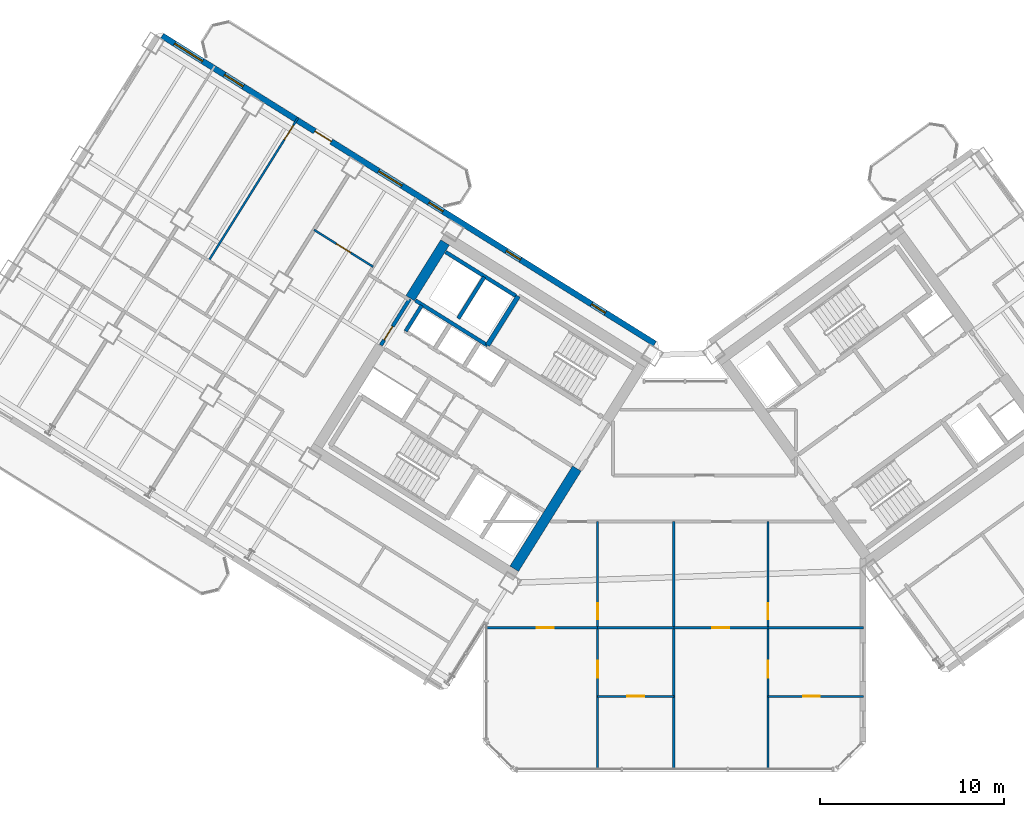
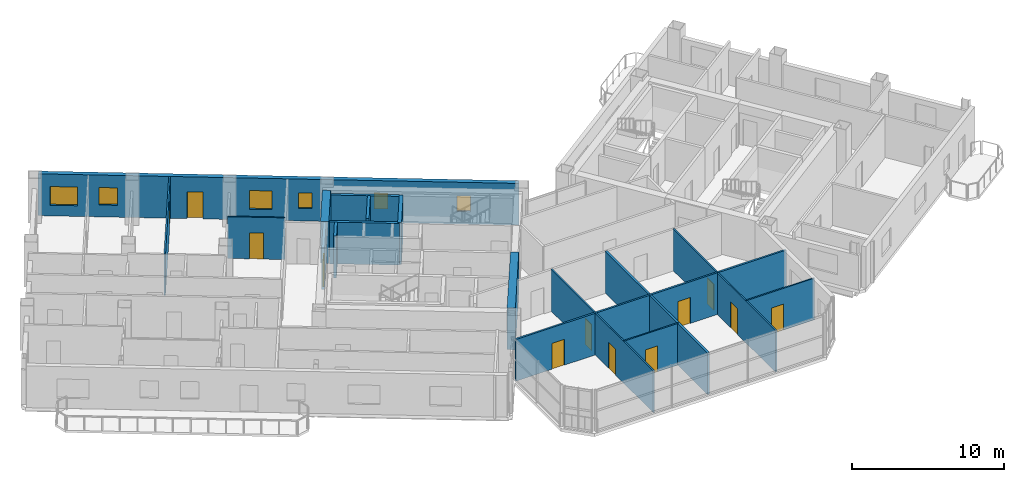
# One storey, part 18 of 25: 20 walls, 12 doors, 6 windows, 18 openings.
"""IFC4 building model written with IfcOpenShell, lengths in metres."""

from ifc_helpers import new_model, si_unit, direction, frame, frame_2d, origin, place, context, subcontext, project, spatial, rectangle, extrude, source, transform, mapped, material, layer, layer_set, type_object, element, fill, save


model = new_model("IFC4")

# Units and contexts
model_context = context("Model", 3, precision=1e-05, world=origin(), true_north=direction((0.0, 1.0)))
body_context = subcontext(model_context, "Body", "Model", "MODEL_VIEW")
ifc_project = project(units=[si_unit("LENGTHUNIT", "METRE"), si_unit("AREAUNIT", "SQUARE_METRE"), si_unit("VOLUMEUNIT", "CUBIC_METRE"), si_unit("PLANEANGLEUNIT", "RADIAN"), si_unit("MASSUNIT", "GRAM", prefix="KILO")], contexts=[model_context])

# Site, building, storey
site_placement = place(None, origin())
site = spatial("IfcSite", under=ifc_project, at=site_placement, CompositionType="ELEMENT")
building_placement = place(site_placement, origin())
building = spatial("IfcBuilding", under=site, at=building_placement, Name="Tlacorven Tower", CompositionType="ELEMENT")
storey_placement = place(building_placement, frame((0.0, 0.0, 155.10009765625)))
storey = spatial("IfcBuildingStorey", under=building, at=storey_placement, Name="L39", CompositionType="ELEMENT", Elevation=155.10009765625)

# Walls
ifc_material_1 = material(Name="Concrete C60/75", Category="concrete")
ifc_layer_1 = layer(ifc_material_1, 0.550048828125)
ifc_layer_set_1 = layer_set([ifc_layer_1], Name="Concrete C60/75")
wall_type_1 = type_object("IfcWallType", Name="WL-COR-550", PredefinedType="SHEAR", material=ifc_layer_set_1)
wall_1_placement = place(storey_placement, frame((36.683349609375, 18.30419921875, 0.0), z_axis=(0.0, 0.0, 1.0), x_axis=(-0.529896466841, -0.848062341122, 0.0)))
element("IfcWall", 1, at=wall_1_placement, inside=storey, type_object=wall_type_1, Name="L39 W core end wall E1.2", PredefinedType="SHEAR", context=body_context, shape_type="SweptSolid", body=[
    extrude(rectangle(XDim=6.4248046875, YDim=0.550048828125, at=frame_2d((3.21240234375, 0.0))), origin(), (0.0, 0.0, 1.0), 3.349853515625),
])
wall_2_placement = place(storey_placement, frame((29.517333984375, 30.59423828125, 0.0), z_axis=(0.0, 0.0, 1.0), x_axis=(-0.529906864564, -0.848055844204, 0.0)))
element("IfcWall", 2, at=wall_2_placement, inside=storey, type_object=wall_type_1, Name="L39 W core end wall E2.1", PredefinedType="SHEAR", context=body_context, shape_type="SweptSolid", body=[
    extrude(rectangle(XDim=3.5751953125, YDim=0.550048828125, at=frame_2d((1.78759765625, 0.0))), origin(), (0.0, 0.0, 1.0), 3.349853515625),
])
ifc_material_2 = material(Name="Gypsum plasterboard acoustic partition", Category="gypsum")
ifc_layer_2 = layer(ifc_material_2, 0.159912109375)
ifc_layer_set_2 = layer_set([ifc_layer_2], Name="Gypsum plasterboard acoustic partition")
wall_type_2 = type_object("IfcWallType", Name="WL-DEM-160", PredefinedType="PARTITIONING", material=ifc_layer_set_2)
wall_3_placement = place(storey_placement, frame((41.949951171875, 1.9599609375, 0.0), z_axis=(0.0, 0.0, 1.0), x_axis=(0.0, 1.0, 0.0)))
element("IfcWall", 3, at=wall_3_placement, inside=storey, type_object=wall_type_2, Name="L39 Knuckle Demising Wall 1", PredefinedType="PARTITIONING", context=body_context, shape_type="SweptSolid", body=[
    extrude(rectangle(XDim=13.4599609375, YDim=0.159912109375, at=frame_2d((6.72998046875, 0.0))), origin(), (0.0, 0.0, 1.0), 3.33984375),
])

# Wall, openings, door, windows
ifc_material_3 = material(Name="Precast concrete C45/55", Category="concrete")
ifc_layer_3 = layer(ifc_material_3, 0.320068359375)
ifc_layer_set_3 = layer_set([ifc_layer_3], Name="Precast concrete C45/55")
wall_type_3 = type_object("IfcWallType", Name="WL-EXT-320", PredefinedType="STANDARD", material=ifc_layer_set_3)
wall_4_placement = place(storey_placement, frame((14.13818359375, 41.825439453125, 0.0), z_axis=(0.0, 0.0, 1.0), x_axis=(0.848046498049, -0.529921821731, 0.0)))
wall_4 = element("IfcWall", 4, at=wall_4_placement, inside=storey, type_object=wall_type_3, Name="L39 Masonry-Frame Recessed Facade Wall 3", PredefinedType="STANDARD", context=body_context, shape_type="SweptSolid", body=[
    extrude(rectangle(XDim=31.587646484375, YDim=0.320068359375, at=frame_2d((15.7939453125, 0.0))), origin(), (0.0, 0.0, 1.0), 3.349853515625),
])
opening_1_placement = place(wall_4_placement, frame((9.7919921875, 0.0, 0.0)))
opening_1 = element("IfcOpeningElement", 5, at=opening_1_placement, cuts=wall_4, Name="Opening D06", PredefinedType="OPENING", context=body_context, shape_type="SweptSolid", body=[
    extrude(rectangle(XDim=1.050048828125, YDim=2.14990234375, at=frame_2d((0.52490234375, 1.074951171875))), frame((0.0, 0.169921875, 0.0), z_axis=(0.0, -1.0, 0.0), x_axis=(1.0, 0.0, 0.0)), (0.0, 0.0, 1.0), 0.340087890625),
])
opening_2_placement = place(wall_4_placement, frame((0.791259765625, 0.0, 0.85009765625)))
opening_2 = element("IfcOpeningElement", 6, at=opening_2_placement, cuts=wall_4, Name="Opening WN01", PredefinedType="OPENING", context=body_context, shape_type="SweptSolid", body=[
    extrude(rectangle(XDim=1.800048828125, YDim=1.5, at=frame_2d((0.89990234375, 0.75))), frame((0.0, 0.169921875, 0.0), z_axis=(0.0, -1.0, 0.0), x_axis=(1.0, 0.0, 0.0)), (0.0, 0.0, 1.0), 0.340087890625),
])
opening_3_placement = place(wall_4_placement, frame((3.99609375, 0.0, 0.949951171875)))
opening_3 = element("IfcOpeningElement", 7, at=opening_3_placement, cuts=wall_4, Name="Opening WN03", PredefinedType="OPENING", context=body_context, shape_type="SweptSolid", body=[
    extrude(rectangle(XDim=1.199951171875, YDim=1.39990234375, at=frame_2d((0.60009765625, 0.699951171875))), frame((0.0, 0.169921875, 0.0), z_axis=(0.0, -1.0, 0.0), x_axis=(1.0, 0.0, 0.0)), (0.0, 0.0, 1.0), 0.340087890625),
])
opening_4_placement = place(wall_4_placement, frame((13.873779296875, 0.0, 0.85009765625)))
opening_4 = element("IfcOpeningElement", 8, at=opening_4_placement, cuts=wall_4, Name="Opening WN02", PredefinedType="OPENING", context=body_context, shape_type="SweptSolid", body=[
    extrude(rectangle(XDim=1.5, YDim=1.5, at=frame_2d((0.75, 0.75))), frame((0.0, 0.169921875, 0.0), z_axis=(0.0, -1.0, 0.0), x_axis=(1.0, 0.0, 0.0)), (0.0, 0.0, 1.0), 0.340087890625),
])
opening_5_placement = place(wall_4_placement, frame((17.103759765625, 0.0, 1.0)))
opening_5 = element("IfcOpeningElement", 9, at=opening_5_placement, cuts=wall_4, Name="Opening WN05", PredefinedType="OPENING", context=body_context, shape_type="SweptSolid", body=[
    extrude(rectangle(XDim=0.89990234375, YDim=1.25, at=frame_2d((0.449951171875, 0.625))), frame((0.0, 0.169921875, 0.0), z_axis=(0.0, -1.0, 0.0), x_axis=(1.0, 0.0, 0.0)), (0.0, 0.0, 1.0), 0.340087890625),
])
opening_6_placement = place(wall_4_placement, frame((22.06884765625, 0.0, 1.0)))
opening_6 = element("IfcOpeningElement", 10, at=opening_6_placement, cuts=wall_4, Name="Opening WN05", PredefinedType="OPENING", context=body_context, shape_type="SweptSolid", body=[
    extrude(rectangle(XDim=0.89990234375, YDim=1.25, at=frame_2d((0.449951171875, 0.625))), frame((0.0, 0.169921875, 0.0), z_axis=(0.0, -1.0, 0.0), x_axis=(1.0, 0.0, 0.0)), (0.0, 0.0, 1.0), 0.340087890625),
])
opening_7_placement = place(wall_4_placement, frame((27.51904296875, 0.0, 1.0)))
opening_7 = element("IfcOpeningElement", 11, at=opening_7_placement, cuts=wall_4, Name="Opening WN05", PredefinedType="OPENING", context=body_context, shape_type="SweptSolid", body=[
    extrude(rectangle(XDim=0.89990234375, YDim=1.25, at=frame_2d((0.449951171875, 0.625))), frame((0.0, 0.169921875, 0.0), z_axis=(0.0, -1.0, 0.0), x_axis=(1.0, 0.0, 0.0)), (0.0, 0.0, 1.0), 0.340087890625),
])
ifc_material_4 = material(Name="Powder-coated aluminium and timber door", Category="wood")
door_type_1 = type_object("IfcDoorType", Name="DR-EXT-BALC-1050", OperationType="NOTDEFINED", PredefinedType="DOOR", material=ifc_material_4)
shared_shape_1 = source(origin(), body_context, "Body", "SweptSolid", [
    extrude(rectangle(XDim=1.050048828125, YDim=2.14990234375, at=frame_2d((0.52490234375, 1.074951171875))), frame((0.0, 0.02490234375, 0.0), z_axis=(0.0, -1.0, 0.0), x_axis=(1.0, 0.0, 0.0)), (0.0, 0.0, 1.0), 0.050048828125),
])
door_1_placement = place(opening_1_placement, origin())
door_1 = element("IfcDoor", 12, at=door_1_placement, inside=storey, type_object=door_type_1, Name="L39 Outdoor Access Door BAL-L39-W-IN", OperationType="SINGLE_SWING_RIGHT", OverallHeight=2.14990234375, OverallWidth=1.050048828125, PredefinedType="DOOR", context=body_context, shape_type="MappedRepresentation", body=[
    mapped(shared_shape_1, transform((0.0, 0.0, 0.0), scale=1.0)),
])
fill(opening_1, door_1)
ifc_material_5 = material(Name="Dark solar low-E double glazing in anodised aluminium frame", Category="aluminium")
window_type_1 = type_object("IfcWindowType", Name="WN-APT-1200X1500", PartitioningType="SINGLE_PANEL", PredefinedType="WINDOW", material=ifc_material_5)
shared_shape_2 = source(origin(), body_context, "Body", "SweptSolid", [
    extrude(rectangle(XDim=1.199951171875, YDim=1.39990234375, at=frame_2d((0.60009765625, 0.699951171875))), frame((0.0, 0.030029296875, 0.0), z_axis=(0.0, -1.0, 0.0), x_axis=(1.0, 0.0, 0.0)), (0.0, 0.0, 1.0), 0.06005859375),
])
window_1_placement = place(opening_3_placement, origin())
window_1 = element("IfcWindow", 13, at=window_1_placement, inside=storey, type_object=window_type_1, Name="L39 Recessed Masonry-Frame Window L39-03.2", OverallHeight=1.39990234375, OverallWidth=1.199951171875, PartitioningType="SINGLE_PANEL", PredefinedType="WINDOW", context=body_context, shape_type="MappedRepresentation", body=[
    mapped(shared_shape_2, transform((0.0, 0.0, 0.0), scale=1.0)),
])
fill(opening_3, window_1)
window_type_2 = type_object("IfcWindowType", Name="WN-APT-1800X1650", PartitioningType="SINGLE_PANEL", PredefinedType="WINDOW", material=ifc_material_5)
shared_shape_3 = source(origin(), body_context, "Body", "SweptSolid", [
    extrude(rectangle(XDim=1.800048828125, YDim=1.5, at=frame_2d((0.89990234375, 0.75))), frame((0.0, 0.030029296875, 0.0), z_axis=(0.0, -1.0, 0.0), x_axis=(1.0, 0.0, 0.0)), (0.0, 0.0, 1.0), 0.06005859375),
])
window_2_placement = place(opening_2_placement, origin())
window_2 = element("IfcWindow", 14, at=window_2_placement, inside=storey, type_object=window_type_2, Name="L39 Recessed Masonry-Frame Window L39-03.1", OverallHeight=1.5, OverallWidth=1.800048828125, PartitioningType="SINGLE_PANEL", PredefinedType="WINDOW", context=body_context, shape_type="MappedRepresentation", body=[
    mapped(shared_shape_3, transform((0.0, 0.0, 0.0), scale=1.0)),
])
fill(opening_2, window_2)
window_type_3 = type_object("IfcWindowType", Name="WN-APT-1500X1650", PartitioningType="SINGLE_PANEL", PredefinedType="WINDOW", material=ifc_material_5)
shared_shape_4 = source(origin(), body_context, "Body", "SweptSolid", [
    extrude(rectangle(XDim=1.5, YDim=1.5, at=frame_2d((0.75, 0.75))), frame((0.0, 0.030029296875, 0.0), z_axis=(0.0, -1.0, 0.0), x_axis=(1.0, 0.0, 0.0)), (0.0, 0.0, 1.0), 0.06005859375),
])
window_3_placement = place(opening_4_placement, origin())
window_3 = element("IfcWindow", 15, at=window_3_placement, inside=storey, type_object=window_type_3, Name="L39 Recessed Masonry-Frame Window L39-03.3", OverallHeight=1.5, OverallWidth=1.5, PartitioningType="SINGLE_PANEL", PredefinedType="WINDOW", context=body_context, shape_type="MappedRepresentation", body=[
    mapped(shared_shape_4, transform((0.0, 0.0, 0.0), scale=1.0)),
])
fill(opening_4, window_3)
window_type_4 = type_object("IfcWindowType", Name="WN-APT-0900X1350", PartitioningType="SINGLE_PANEL", PredefinedType="WINDOW", material=ifc_material_5)
shared_shape_5 = source(origin(), body_context, "Body", "SweptSolid", [
    extrude(rectangle(XDim=0.89990234375, YDim=1.25, at=frame_2d((0.449951171875, 0.625))), frame((0.0, 0.030029296875, 0.0), z_axis=(0.0, -1.0, 0.0), x_axis=(1.0, 0.0, 0.0)), (0.0, 0.0, 1.0), 0.06005859375),
])
window_4_placement = place(opening_5_placement, origin())
window_4 = element("IfcWindow", 16, at=window_4_placement, inside=storey, type_object=window_type_4, Name="L39 Recessed Masonry-Frame Window L39-03.4", OverallHeight=1.25, OverallWidth=0.89990234375, PartitioningType="SINGLE_PANEL", PredefinedType="WINDOW", context=body_context, shape_type="MappedRepresentation", body=[
    mapped(shared_shape_5, transform((0.0, 0.0, 0.0), scale=1.0)),
])
fill(opening_5, window_4)
window_5_placement = place(opening_6_placement, origin())
window_5 = element("IfcWindow", 17, at=window_5_placement, inside=storey, type_object=window_type_4, Name="L39 Recessed Masonry-Frame Window L39-03.5", OverallHeight=1.25, OverallWidth=0.89990234375, PartitioningType="SINGLE_PANEL", PredefinedType="WINDOW", context=body_context, shape_type="MappedRepresentation", body=[
    mapped(shared_shape_5, transform((0.0, 0.0, 0.0), scale=1.0)),
])
fill(opening_6, window_5)
window_6_placement = place(opening_7_placement, origin())
window_6 = element("IfcWindow", 18, at=window_6_placement, inside=storey, type_object=window_type_4, Name="L39 Recessed Masonry-Frame Window L39-03.6", OverallHeight=1.25, OverallWidth=0.89990234375, PartitioningType="SINGLE_PANEL", PredefinedType="WINDOW", context=body_context, shape_type="MappedRepresentation", body=[
    mapped(shared_shape_5, transform((0.0, 0.0, 0.0), scale=1.0)),
])
fill(opening_7, window_6)

# Wall, opening, door
ifc_material_6 = material(Name="Gypsum plasterboard partition", Category="gypsum")
ifc_layer_4 = layer(ifc_material_6, 0.110107421875)
ifc_layer_set_4 = layer_set([ifc_layer_4], Name="Gypsum plasterboard partition")
wall_type_4 = type_object("IfcWallType", Name="WL-INT-110", PredefinedType="PARTITIONING", material=ifc_layer_set_4)
wall_5_placement = place(storey_placement, frame((25.61181640625, 29.269287109375, 0.0), z_axis=(0.0, 0.0, 1.0), x_axis=(-0.84803087207, 0.529946827537, 0.0)))
wall_5 = element("IfcWall", 19, at=wall_5_placement, inside=storey, type_object=wall_type_4, Name="L39 partition 60", PredefinedType="PARTITIONING", context=body_context, shape_type="SweptSolid", body=[
    extrude(rectangle(XDim=3.7900390625, YDim=0.110107421875, at=frame_2d((1.89501953125, 0.0))), origin(), (0.0, 0.0, 1.0), 3.33984375),
])
opening_8_placement = place(wall_5_placement, frame((1.43505859375, 0.0, 0.0)))
opening_8 = element("IfcOpeningElement", 20, at=opening_8_placement, cuts=wall_5, Name="Opening D12", PredefinedType="OPENING", context=body_context, shape_type="SweptSolid", body=[
    extrude(rectangle(XDim=0.919921875, YDim=2.080078125, at=frame_2d((0.4599609375, 1.0400390625))), frame((0.0, 0.06494140625, 0.0), z_axis=(0.0, -1.0, 0.0), x_axis=(1.0, 0.0, 0.0)), (0.0, 0.0, 1.0), 0.130126953125),
])
door_type_2 = type_object("IfcDoorType", Name="DR-INT-ROOM-0920", OperationType="NOTDEFINED", PredefinedType="DOOR", material=ifc_material_4)
shared_shape_6 = source(origin(), body_context, "Body", "SweptSolid", [
    extrude(rectangle(XDim=0.919921875, YDim=2.080078125, at=frame_2d((0.4599609375, 1.0400390625))), frame((0.0, 0.02490234375, 0.0), z_axis=(0.0, -1.0, 0.0), x_axis=(1.0, 0.0, 0.0)), (0.0, 0.0, 1.0), 0.050048828125),
])
door_2_placement = place(opening_8_placement, origin())
door_2 = element("IfcDoor", 21, at=door_2_placement, inside=storey, type_object=door_type_2, Name="L39 door 033", OperationType="SINGLE_SWING_LEFT", OverallHeight=2.080078125, OverallWidth=0.919921875, PredefinedType="DOOR", context=body_context, shape_type="MappedRepresentation", body=[
    mapped(shared_shape_6, transform((0.0, 0.0, 0.0), scale=1.0)),
])
fill(opening_8, door_2)

wall_6_placement = place(storey_placement, frame((21.516845703125, 37.356201171875, 0.0), z_axis=(0.0, 0.0, 1.0), x_axis=(-0.529919705034, -0.848047820713, 0.0)))
wall_6 = element("IfcWall", 22, at=wall_6_placement, inside=storey, type_object=wall_type_4, Name="L39 partition 64", PredefinedType="PARTITIONING", context=body_context, shape_type="SweptSolid", body=[
    extrude(rectangle(XDim=9.14013671875, YDim=0.110107421875, at=frame_2d((4.570068359375, 0.0))), origin(), (0.0, 0.0, 1.0), 3.33984375),
])
opening_9_placement = place(wall_6_placement, frame((0.469970703125, 0.0, 0.0)))
opening_9 = element("IfcOpeningElement", 23, at=opening_9_placement, cuts=wall_6, Name="Opening D12", PredefinedType="OPENING", context=body_context, shape_type="SweptSolid", body=[
    extrude(rectangle(XDim=0.919921875, YDim=2.080078125, at=frame_2d((0.4599609375, 1.0400390625))), frame((0.0, 0.06494140625, 0.0), z_axis=(0.0, -1.0, 0.0), x_axis=(1.0, 0.0, 0.0)), (0.0, 0.0, 1.0), 0.130126953125),
])
door_3_placement = place(opening_9_placement, origin())
door_3 = element("IfcDoor", 24, at=door_3_placement, inside=storey, type_object=door_type_2, Name="L39 door 034", OperationType="SINGLE_SWING_RIGHT", OverallHeight=2.080078125, OverallWidth=0.919921875, PredefinedType="DOOR", context=body_context, shape_type="MappedRepresentation", body=[
    mapped(shared_shape_6, transform((0.0, 0.0, 0.0), scale=1.0)),
])
fill(opening_9, door_3)

# Wall, openings, doors
wall_7_placement = place(storey_placement, frame((37.81298828125, 1.9599609375, 0.0), z_axis=(0.0, 0.0, 1.0), x_axis=(0.0, 1.0, 0.0)))
wall_7 = element("IfcWall", 25, at=wall_7_placement, inside=storey, type_object=wall_type_4, Name="L39 partition 81", PredefinedType="PARTITIONING", context=body_context, shape_type="SweptSolid", body=[
    extrude(rectangle(XDim=13.4599609375, YDim=0.110107421875, at=frame_2d((6.72998046875, 0.0))), origin(), (0.0, 0.0, 1.0), 3.33984375),
])
opening_10_placement = place(wall_7_placement, frame((4.969970703125, 0.0, 0.0)))
opening_10 = element("IfcOpeningElement", 26, at=opening_10_placement, cuts=wall_7, Name="Opening D12", PredefinedType="OPENING", context=body_context, shape_type="SweptSolid", body=[
    extrude(rectangle(XDim=0.919921875, YDim=2.080078125, at=frame_2d((0.4599609375, 1.0400390625))), frame((0.0, 0.06494140625, 0.0), z_axis=(0.0, -1.0, 0.0), x_axis=(1.0, 0.0, 0.0)), (0.0, 0.0, 1.0), 0.130126953125),
])
opening_11_placement = place(wall_7_placement, frame((8.14990234375, 0.0, 0.0)))
opening_11 = element("IfcOpeningElement", 27, at=opening_11_placement, cuts=wall_7, Name="Opening D13", PredefinedType="OPENING", context=body_context, shape_type="SweptSolid", body=[
    extrude(rectangle(XDim=0.8798828125, YDim=2.080078125, at=frame_2d((0.43994140625, 1.0400390625))), frame((0.0, 0.06494140625, 0.0), z_axis=(0.0, -1.0, 0.0), x_axis=(1.0, 0.0, 0.0)), (0.0, 0.0, 1.0), 0.130126953125),
])
door_type_3 = type_object("IfcDoorType", Name="DR-INT-WET-0880", OperationType="NOTDEFINED", PredefinedType="DOOR", material=ifc_material_4)
shared_shape_7 = source(origin(), body_context, "Body", "SweptSolid", [
    extrude(rectangle(XDim=0.8798828125, YDim=2.080078125, at=frame_2d((0.43994140625, 1.0400390625))), frame((0.0, 0.02490234375, 0.0), z_axis=(0.0, -1.0, 0.0), x_axis=(1.0, 0.0, 0.0)), (0.0, 0.0, 1.0), 0.050048828125),
])
door_4_placement = place(opening_11_placement, origin())
door_4 = element("IfcDoor", 28, at=door_4_placement, inside=storey, type_object=door_type_3, Name="L39 door 053", OperationType="SINGLE_SWING_LEFT", OverallHeight=2.080078125, OverallWidth=0.8798828125, PredefinedType="DOOR", context=body_context, shape_type="MappedRepresentation", body=[
    mapped(shared_shape_7, transform((0.0, 0.0, 0.0), scale=1.0)),
])
fill(opening_11, door_4)
door_5_placement = place(opening_10_placement, origin())
door_5 = element("IfcDoor", 29, at=door_5_placement, inside=storey, type_object=door_type_2, Name="L39 door 049", OperationType="SINGLE_SWING_LEFT", OverallHeight=2.080078125, OverallWidth=0.919921875, PredefinedType="DOOR", context=body_context, shape_type="MappedRepresentation", body=[
    mapped(shared_shape_6, transform((0.0, 0.0, 0.0), scale=1.0)),
])
fill(opening_10, door_5)

# Wall, opening, door
wall_8_placement = place(storey_placement, frame((37.81298828125, 5.919921875, 0.0), z_axis=(0.0, 0.0, 1.0), x_axis=(1.0, 0.0, 0.0)))
wall_8 = element("IfcWall", 30, at=wall_8_placement, inside=storey, type_object=wall_type_4, Name="L39 partition 84", PredefinedType="PARTITIONING", context=body_context, shape_type="SweptSolid", body=[
    extrude(rectangle(XDim=4.136962890625, YDim=0.110107421875, at=frame_2d((2.068359375, 0.0))), origin(), (0.0, 0.0, 1.0), 3.33984375),
])
opening_12_placement = place(wall_8_placement, frame((1.6083984375, 0.0, 0.0)))
opening_12 = element("IfcOpeningElement", 31, at=opening_12_placement, cuts=wall_8, Name="Opening D12", PredefinedType="OPENING", context=body_context, shape_type="SweptSolid", body=[
    extrude(rectangle(XDim=0.919921875, YDim=2.080078125, at=frame_2d((0.4599609375, 1.0400390625))), frame((0.0, 0.06494140625, 0.0), z_axis=(0.0, -1.0, 0.0), x_axis=(1.0, 0.0, 0.0)), (0.0, 0.0, 1.0), 0.130126953125),
])
door_6_placement = place(opening_12_placement, origin())
door_6 = element("IfcDoor", 32, at=door_6_placement, inside=storey, type_object=door_type_2, Name="L39 door 050", OperationType="SINGLE_SWING_RIGHT", OverallHeight=2.080078125, OverallWidth=0.919921875, PredefinedType="DOOR", context=body_context, shape_type="MappedRepresentation", body=[
    mapped(shared_shape_6, transform((0.0, 0.0, 0.0), scale=1.0)),
])
fill(opening_12, door_6)

# Wall, openings, doors
wall_9_placement = place(storey_placement, frame((47.072021484375, 1.9599609375, 0.0), z_axis=(0.0, 0.0, 1.0), x_axis=(0.0, 1.0, 0.0)))
wall_9 = element("IfcWall", 33, at=wall_9_placement, inside=storey, type_object=wall_type_4, Name="L39 partition 85", PredefinedType="PARTITIONING", context=body_context, shape_type="SweptSolid", body=[
    extrude(rectangle(XDim=13.4599609375, YDim=0.110107421875, at=frame_2d((6.72998046875, 0.0))), origin(), (0.0, 0.0, 1.0), 3.33984375),
])
opening_13_placement = place(wall_9_placement, frame((4.969970703125, 0.0, 0.0)))
opening_13 = element("IfcOpeningElement", 34, at=opening_13_placement, cuts=wall_9, Name="Opening D12", PredefinedType="OPENING", context=body_context, shape_type="SweptSolid", body=[
    extrude(rectangle(XDim=0.919921875, YDim=2.080078125, at=frame_2d((0.4599609375, 1.0400390625))), frame((0.0, 0.06494140625, 0.0), z_axis=(0.0, -1.0, 0.0), x_axis=(1.0, 0.0, 0.0)), (0.0, 0.0, 1.0), 0.130126953125),
])
opening_14_placement = place(wall_9_placement, frame((8.14990234375, 0.0, 0.0)))
opening_14 = element("IfcOpeningElement", 35, at=opening_14_placement, cuts=wall_9, Name="Opening D13", PredefinedType="OPENING", context=body_context, shape_type="SweptSolid", body=[
    extrude(rectangle(XDim=0.8798828125, YDim=2.080078125, at=frame_2d((0.43994140625, 1.0400390625))), frame((0.0, 0.06494140625, 0.0), z_axis=(0.0, -1.0, 0.0), x_axis=(1.0, 0.0, 0.0)), (0.0, 0.0, 1.0), 0.130126953125),
])
door_7_placement = place(opening_14_placement, origin())
door_7 = element("IfcDoor", 36, at=door_7_placement, inside=storey, type_object=door_type_3, Name="L39 door 058", OperationType="SINGLE_SWING_RIGHT", OverallHeight=2.080078125, OverallWidth=0.8798828125, PredefinedType="DOOR", context=body_context, shape_type="MappedRepresentation", body=[
    mapped(shared_shape_7, transform((0.0, 0.0, 0.0), scale=1.0)),
])
fill(opening_14, door_7)
door_8_placement = place(opening_13_placement, origin())
door_8 = element("IfcDoor", 37, at=door_8_placement, inside=storey, type_object=door_type_2, Name="L39 door 054", OperationType="SINGLE_SWING_RIGHT", OverallHeight=2.080078125, OverallWidth=0.919921875, PredefinedType="DOOR", context=body_context, shape_type="MappedRepresentation", body=[
    mapped(shared_shape_6, transform((0.0, 0.0, 0.0), scale=1.0)),
])
fill(opening_13, door_8)

# Wall, opening, door
wall_10_placement = place(storey_placement, frame((47.072021484375, 5.919921875, 0.0), z_axis=(0.0, 0.0, 1.0), x_axis=(1.0, 0.0, 0.0)))
wall_10 = element("IfcWall", 38, at=wall_10_placement, inside=storey, type_object=wall_type_4, Name="L39 partition 88", PredefinedType="PARTITIONING", context=body_context, shape_type="SweptSolid", body=[
    extrude(rectangle(XDim=5.18798828125, YDim=0.110107421875, at=frame_2d((2.593994140625, 0.0))), origin(), (0.0, 0.0, 1.0), 3.33984375),
])
opening_15_placement = place(wall_10_placement, frame((1.904052734375, 0.0, 0.0)))
opening_15 = element("IfcOpeningElement", 39, at=opening_15_placement, cuts=wall_10, Name="Opening D12", PredefinedType="OPENING", context=body_context, shape_type="SweptSolid", body=[
    extrude(rectangle(XDim=0.919921875, YDim=2.080078125, at=frame_2d((0.4599609375, 1.0400390625))), frame((0.0, 0.06494140625, 0.0), z_axis=(0.0, -1.0, 0.0), x_axis=(1.0, 0.0, 0.0)), (0.0, 0.0, 1.0), 0.130126953125),
])
door_9_placement = place(opening_15_placement, origin())
door_9 = element("IfcDoor", 40, at=door_9_placement, inside=storey, type_object=door_type_2, Name="L39 door 055", OperationType="SINGLE_SWING_LEFT", OverallHeight=2.080078125, OverallWidth=0.919921875, PredefinedType="DOOR", context=body_context, shape_type="MappedRepresentation", body=[
    mapped(shared_shape_6, transform((0.0, 0.0, 0.0), scale=1.0)),
])
fill(opening_15, door_9)

ifc_material_7 = material(Name="Moisture-resistant gypsum plumbing wall", Category="gypsum")
ifc_layer_5 = layer(ifc_material_7, 0.139892578125)
ifc_layer_set_5 = layer_set([ifc_layer_5], Name="Moisture-resistant gypsum plumbing wall")
wall_type_5 = type_object("IfcWallType", Name="WL-PLM-140", PredefinedType="PLUMBINGWALL", material=ifc_layer_set_5)
wall_11_placement = place(storey_placement, frame((31.739990234375, 9.64990234375, 0.0), z_axis=(0.0, 0.0, 1.0), x_axis=(1.0, 0.0, 0.0)))
wall_11 = element("IfcWall", 41, at=wall_11_placement, inside=storey, type_object=wall_type_5, Name="L39 partition 82", PredefinedType="PLUMBINGWALL", context=body_context, shape_type="SweptSolid", body=[
    extrude(rectangle(XDim=6.072998046875, YDim=0.139892578125, at=frame_2d((3.03662109375, 0.0))), origin(), (0.0, 0.0, 1.0), 3.33984375),
])
opening_16_placement = place(wall_11_placement, frame((2.756591796875, 0.0, 0.0)))
opening_16 = element("IfcOpeningElement", 42, at=opening_16_placement, cuts=wall_11, Name="Opening D12", PredefinedType="OPENING", context=body_context, shape_type="SweptSolid", body=[
    extrude(rectangle(XDim=0.919921875, YDim=2.080078125, at=frame_2d((0.4599609375, 1.0400390625))), frame((0.0, 0.080078125, 0.0), z_axis=(0.0, -1.0, 0.0), x_axis=(1.0, 0.0, 0.0)), (0.0, 0.0, 1.0), 0.159912109375),
])
door_10_placement = place(opening_16_placement, frame((0.919921875, 0.0, 0.0), z_axis=(0.0, 0.0, 1.0), x_axis=(-1.0, 0.0, 0.0)))
door_10 = element("IfcDoor", 43, at=door_10_placement, inside=storey, type_object=door_type_2, Name="L39 door 052", OperationType="SINGLE_SWING_RIGHT", OverallHeight=2.080078125, OverallWidth=0.919921875, PredefinedType="DOOR", context=body_context, shape_type="MappedRepresentation", body=[
    mapped(shared_shape_6, transform((0.0, 0.0, 0.0), scale=1.0)),
])
fill(opening_16, door_10)

# Wall
wall_12_placement = place(storey_placement, frame((37.81298828125, 9.64990234375, 0.0), z_axis=(0.0, 0.0, 1.0), x_axis=(1.0, 0.0, 0.0)))
element("IfcWall", 44, at=wall_12_placement, inside=storey, type_object=wall_type_5, Name="L39 partition 83", PredefinedType="PLUMBINGWALL", context=body_context, shape_type="SweptSolid", body=[
    extrude(rectangle(XDim=4.136962890625, YDim=0.139892578125, at=frame_2d((2.068359375, 0.0))), origin(), (0.0, 0.0, 1.0), 3.33984375),
])

# Wall, opening, door
wall_13_placement = place(storey_placement, frame((41.949951171875, 9.64990234375, 0.0), z_axis=(0.0, 0.0, 1.0), x_axis=(1.0, 0.0, 0.0)))
wall_13 = element("IfcWall", 45, at=wall_13_placement, inside=storey, type_object=wall_type_5, Name="L39 partition 86", PredefinedType="PLUMBINGWALL", context=body_context, shape_type="SweptSolid", body=[
    extrude(rectangle(XDim=5.1220703125, YDim=0.139892578125, at=frame_2d((2.56103515625, 0.0))), origin(), (0.0, 0.0, 1.0), 3.33984375),
])
opening_17_placement = place(wall_13_placement, frame((2.10107421875, 0.0, 0.0)))
opening_17 = element("IfcOpeningElement", 46, at=opening_17_placement, cuts=wall_13, Name="Opening D12", PredefinedType="OPENING", context=body_context, shape_type="SweptSolid", body=[
    extrude(rectangle(XDim=0.919921875, YDim=2.080078125, at=frame_2d((0.4599609375, 1.0400390625))), frame((0.0, 0.080078125, 0.0), z_axis=(0.0, -1.0, 0.0), x_axis=(1.0, 0.0, 0.0)), (0.0, 0.0, 1.0), 0.159912109375),
])
door_11_placement = place(opening_17_placement, frame((0.919921875, 0.0, 0.0), z_axis=(0.0, 0.0, 1.0), x_axis=(-1.0, 0.0, 0.0)))
door_11 = element("IfcDoor", 47, at=door_11_placement, inside=storey, type_object=door_type_2, Name="L39 door 057", OperationType="SINGLE_SWING_LEFT", OverallHeight=2.080078125, OverallWidth=0.919921875, PredefinedType="DOOR", context=body_context, shape_type="MappedRepresentation", body=[
    mapped(shared_shape_6, transform((0.0, 0.0, 0.0), scale=1.0)),
])
fill(opening_17, door_11)

# Walls
wall_14_placement = place(storey_placement, frame((47.072021484375, 9.64990234375, 0.0), z_axis=(0.0, 0.0, 1.0), x_axis=(1.0, 0.0, 0.0)))
element("IfcWall", 48, at=wall_14_placement, inside=storey, type_object=wall_type_5, Name="L39 partition 87", PredefinedType="PLUMBINGWALL", context=body_context, shape_type="SweptSolid", body=[
    extrude(rectangle(XDim=5.18798828125, YDim=0.139892578125, at=frame_2d((2.593994140625, 0.0))), origin(), (0.0, 0.0, 1.0), 3.33984375),
])
ifc_material_8 = material(Name="Concrete C40/50", Category="concrete")
ifc_layer_6 = layer(ifc_material_8, 0.199951171875)
ifc_layer_set_6 = layer_set([ifc_layer_6], Name="Concrete C40/50")
wall_type_6 = type_object("IfcWallType", Name="WL-SHF-200", PredefinedType="STANDARD", material=ifc_layer_set_6)
wall_15_placement = place(storey_placement, frame((31.82177734375, 24.99755859375, 0.0), z_axis=(0.0, 0.0, 1.0), x_axis=(-0.848036912365, 0.52993716162, 0.0)))
element("IfcWall", 49, at=wall_15_placement, inside=storey, type_object=wall_type_6, Name="L39 Core W South Lift Shaft Wall", PredefinedType="STANDARD", context=body_context, shape_type="SweptSolid", body=[
    extrude(rectangle(XDim=4.617919921875, YDim=0.199951171875, at=frame_2d((2.30908203125, 0.0))), origin(), (0.0, 0.0, 1.0), 3.33984375),
])
wall_16_placement = place(storey_placement, frame((28.250244140625, 27.170166015625, 0.0), z_axis=(0.0, 0.0, 1.0), x_axis=(-0.529905827651, -0.848056492117, 0.0)))
element("IfcWall", 50, at=wall_16_placement, inside=storey, type_object=wall_type_6, Name="L39 partition 13", PredefinedType="STANDARD", context=body_context, shape_type="SweptSolid", body=[
    extrude(rectangle(XDim=1.64990234375, YDim=0.199951171875, at=frame_2d((0.824951171875, 0.0))), origin(), (0.0, 0.0, 1.0), 3.33984375),
])
wall_17_placement = place(storey_placement, frame((31.645263671875, 28.716064453125, 0.0), z_axis=(0.0, 0.0, 1.0), x_axis=(-0.52986693015, -0.848080795876, 0.0)))
element("IfcWall", 51, at=wall_17_placement, inside=storey, type_object=wall_type_6, Name="L39 partition 15", PredefinedType="STANDARD", context=body_context, shape_type="SweptSolid", body=[
    extrude(rectangle(XDim=2.659912109375, YDim=0.199951171875, at=frame_2d((1.330078125, 0.0))), origin(), (0.0, 0.0, 1.0), 3.33984375),
])
wall_18_placement = place(storey_placement, frame((33.362548828125, 27.690185546875, 0.0), z_axis=(0.0, 0.0, 1.0), x_axis=(-0.848047090064, 0.529920874315, 0.0)))
element("IfcWall", 52, at=wall_18_placement, inside=storey, type_object=wall_type_6, Name="L39 partition 17", PredefinedType="STANDARD", context=body_context, shape_type="SweptSolid", body=[
    extrude(rectangle(XDim=4.498046875, YDim=0.199951171875, at=frame_2d((2.2490234375, 0.0))), origin(), (0.0, 0.0, 1.0), 3.33984375),
])

# Wall, opening, door
wall_19_placement = place(storey_placement, frame((27.59619140625, 27.52001953125, 0.0), z_axis=(0.0, 0.0, 1.0), x_axis=(-0.529865479138, -0.848081702443, 0.0)))
wall_19 = element("IfcWall", 53, at=wall_19_placement, inside=storey, type_object=wall_type_6, Name="L39 partition 44", PredefinedType="STANDARD", context=body_context, shape_type="SweptSolid", body=[
    extrude(rectangle(XDim=2.9599609375, YDim=0.199951171875, at=frame_2d((1.47998046875, 0.0))), origin(), (0.0, 0.0, 1.0), 3.33984375),
])
opening_18_placement = place(wall_19_placement, frame((1.760009765625, 0.0, 0.0)))
opening_18 = element("IfcOpeningElement", 54, at=opening_18_placement, cuts=wall_19, Name="Opening D19", PredefinedType="OPENING", context=body_context, shape_type="SweptSolid", body=[
    extrude(rectangle(XDim=0.860107421875, YDim=2.050048828125, at=frame_2d((0.43017578125, 1.02490234375))), frame((0.0, 0.10986328125, 0.0), z_axis=(0.0, -1.0, 0.0), x_axis=(1.0, 0.0, 0.0)), (0.0, 0.0, 1.0), 0.219970703125),
])
ifc_material_9 = material(Name="Fire-rated steel door assembly", Category="steel")
door_type_4 = type_object("IfcDoorType", Name="DR-RSR-FD60-0860", OperationType="NOTDEFINED", PredefinedType="DOOR", material=ifc_material_9)
shared_shape_8 = source(origin(), body_context, "Body", "SweptSolid", [
    extrude(rectangle(XDim=0.860107421875, YDim=2.050048828125, at=frame_2d((0.43017578125, 1.02490234375))), frame((0.0, 0.02490234375, 0.0), z_axis=(0.0, -1.0, 0.0), x_axis=(1.0, 0.0, 0.0)), (0.0, 0.0, 1.0), 0.050048828125),
])
door_12_placement = place(opening_18_placement, origin())
door_12 = element("IfcDoor", 55, at=door_12_placement, inside=storey, type_object=door_type_4, Name="L39 door 023", OperationType="SINGLE_SWING_LEFT", OverallHeight=2.050048828125, OverallWidth=0.860107421875, PredefinedType="DOOR", context=body_context, shape_type="MappedRepresentation", body=[
    mapped(shared_shape_8, transform((0.0, 0.0, 0.0), scale=1.0)),
])
fill(opening_18, door_12)

# Wall
ifc_material_10 = material(Name="Concrete C50/60", Category="concrete")
ifc_layer_7 = layer(ifc_material_10, 0.260009765625)
ifc_layer_set_7 = layer_set([ifc_layer_7], Name="Concrete C50/60")
wall_type_7 = type_object("IfcWallType", Name="WL-STW-260", PredefinedType="SHEAR", material=ifc_layer_set_7)
wall_20_placement = place(storey_placement, frame((33.496337890625, 27.677490234375, 0.0), z_axis=(0.0, 0.0, 1.0), x_axis=(-0.529908658664, -0.84805472316, 0.0)))
element("IfcWall", 56, at=wall_20_placement, inside=storey, type_object=wall_type_7, Name="L39 Stair W2 East Shear Wall", PredefinedType="SHEAR", context=body_context, shape_type="SweptSolid", body=[
    extrude(rectangle(XDim=3.16015625, YDim=0.260009765625, at=frame_2d((1.580078125, 0.0))), origin(), (0.0, 0.0, 1.0), 3.349853515625),
])

save(model, "model.ifc")
